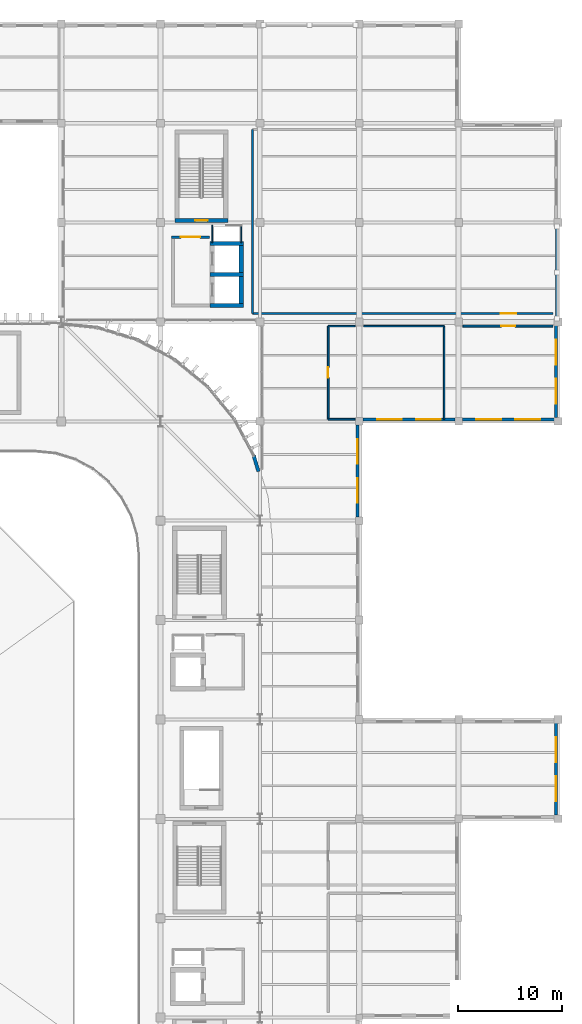
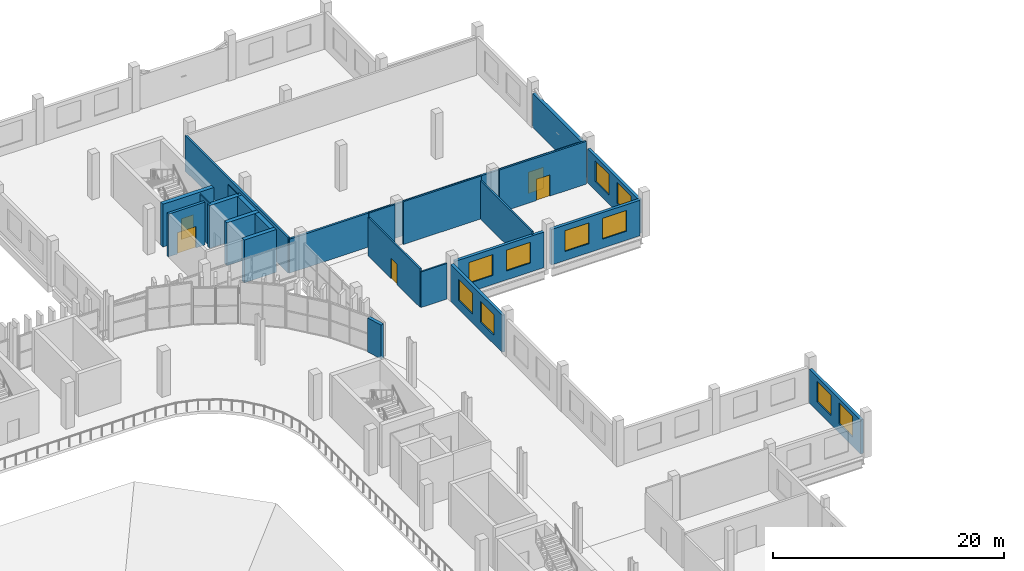
# One storey, part 66 of 99: 24 walls, 10 windows, 5 doors, 15 openings.
"""IFC4 building model written with IfcOpenShell, lengths in metres."""

from ifc_helpers import new_model, si_unit, direction, frame, frame_2d, origin, place, context, subcontext, project, spatial, rectangle, extrude, material, layer, layer_set, type_object, element, fill, save


model = new_model("IFC4")

# Units and contexts
model_context = context("Model", 3, precision=1e-05, world=origin(), true_north=direction((0.0, 1.0)))
body_context = subcontext(model_context, "Body", "Model", "MODEL_VIEW")
ifc_project = project(units=[si_unit("LENGTHUNIT", "METRE"), si_unit("AREAUNIT", "SQUARE_METRE"), si_unit("VOLUMEUNIT", "CUBIC_METRE"), si_unit("PLANEANGLEUNIT", "RADIAN"), si_unit("MASSUNIT", "GRAM", prefix="KILO")], contexts=[model_context])

# Site, building, storey
site_placement = place(None, origin())
site = spatial("IfcSite", under=ifc_project, at=site_placement, CompositionType="ELEMENT")
building_placement = place(site_placement, origin())
building = spatial("IfcBuilding", under=site, at=building_placement, Name="Caelomonte Colonnade Arena", CompositionType="ELEMENT")
storey_placement = place(building_placement, frame((0.0, 0.0, 4.800048828125)))
storey = spatial("IfcBuildingStorey", under=building, at=storey_placement, Name="L01", CompositionType="ELEMENT", Elevation=4.800048828125)

# Wall, openings, windows
ifc_material_1 = material(Name="Precast concrete C40/50", Category="concrete")
ifc_layer_1 = layer(ifc_material_1, 0.2900390625)
ifc_layer_set_1 = layer_set([ifc_layer_1], Name="Precast concrete C40/50")
wall_type_1 = type_object("IfcWallType", Name="ENV-WL-EXT29", PredefinedType="SOLIDWALL", material=ifc_layer_set_1)
wall_1_placement = place(storey_placement, frame((191.820068359375, 67.554931640625, 0.0), z_axis=(0.0, 0.0, 1.0), x_axis=(0.0, 1.0, 0.0)))
wall_1 = element("IfcWall", 1, at=wall_1_placement, inside=storey, type_object=wall_type_1, Name="L01 exterior wall EW-L01-0194", PredefinedType="SOLIDWALL", context=body_context, shape_type="SweptSolid", body=[
    extrude(rectangle(XDim=8.89013671875, YDim=0.2900390625, at=frame_2d((4.445068359375, 0.0))), origin(), (0.0, 0.0, 1.0), 3.593017578125),
])
opening_1_placement = place(wall_1_placement, frame((3.76318359375, 0.0, 0.949951171875), z_axis=(0.0, 0.0, 1.0), x_axis=(-1.0, 0.0, 0.0)))
opening_1 = element("IfcOpeningElement", 2, at=opening_1_placement, cuts=wall_1, Name="Opening WN-04", PredefinedType="OPENING", context=body_context, shape_type="SweptSolid", body=[
    extrude(rectangle(XDim=2.39990234375, YDim=2.199951171875, at=frame_2d((1.199951171875, 1.10009765625))), frame((0.0, 0.155029296875, 0.0), z_axis=(0.0, -1.0, 0.0), x_axis=(1.0, 0.0, 0.0)), (0.0, 0.0, 1.0), 0.31005859375),
])
opening_2_placement = place(wall_1_placement, frame((7.526611328125, 0.0, 0.949951171875), z_axis=(0.0, 0.0, 1.0), x_axis=(-1.0, 0.0, 0.0)))
opening_2 = element("IfcOpeningElement", 3, at=opening_2_placement, cuts=wall_1, Name="Opening WN-04", PredefinedType="OPENING", context=body_context, shape_type="SweptSolid", body=[
    extrude(rectangle(XDim=2.39990234375, YDim=2.199951171875, at=frame_2d((1.199951171875, 1.10009765625))), frame((0.0, 0.155029296875, 0.0), z_axis=(0.0, -1.0, 0.0), x_axis=(1.0, 0.0, 0.0)), (0.0, 0.0, 1.0), 0.31005859375),
])
ifc_material_2 = material(Name="Solar-control bronze low-E double glazing", Category="glass")
window_type = type_object("IfcWindowType", Name="ENV-WN-V4A", PartitioningType="DOUBLE_PANEL_VERTICAL", PredefinedType="WINDOW", material=ifc_material_2)
window_1_placement = place(opening_1_placement, origin())
window_1 = element("IfcWindow", 4, at=window_1_placement, inside=storey, type_object=window_type, Name="L01 facade window 88", OverallHeight=2.199951171875, OverallWidth=2.39990234375, PartitioningType="SINGLE_PANEL", PredefinedType="WINDOW", context=body_context, shape_type="SweptSolid", body=[
    extrude(rectangle(XDim=2.39990234375, YDim=2.199951171875, at=frame_2d((1.199951171875, 1.10009765625))), frame((0.0, 0.030029296875, 0.0), z_axis=(0.0, -1.0, 0.0), x_axis=(1.0, 0.0, 0.0)), (0.0, 0.0, 1.0), 0.06005859375),
])
fill(opening_1, window_1)
window_2_placement = place(opening_2_placement, origin())
window_2 = element("IfcWindow", 5, at=window_2_placement, inside=storey, type_object=window_type, Name="L01 facade window 89", OverallHeight=2.199951171875, OverallWidth=2.39990234375, PartitioningType="SINGLE_PANEL", PredefinedType="WINDOW", context=body_context, shape_type="SweptSolid", body=[
    extrude(rectangle(XDim=2.39990234375, YDim=2.199951171875, at=frame_2d((1.199951171875, 1.10009765625))), frame((0.0, 0.030029296875, 0.0), z_axis=(0.0, -1.0, 0.0), x_axis=(1.0, 0.0, 0.0)), (0.0, 0.0, 1.0), 0.06005859375),
])
fill(opening_2, window_2)

wall_2_placement = place(storey_placement, frame((172.6201171875, 96.35498046875, 0.0), z_axis=(0.0, 0.0, 1.0), x_axis=(0.0, 1.0, 0.0)))
wall_2 = element("IfcWall", 6, at=wall_2_placement, inside=storey, type_object=wall_type_1, Name="L01 exterior wall EW-L01-0199", PredefinedType="SOLIDWALL", context=body_context, shape_type="SweptSolid", body=[
    extrude(rectangle(XDim=8.89013671875, YDim=0.2900390625, at=frame_2d((4.445068359375, 0.0))), origin(), (0.0, 0.0, 1.0), 3.912841796875),
])
opening_3_placement = place(wall_2_placement, frame((3.76318359375, 0.0, 0.949951171875), z_axis=(0.0, 0.0, 1.0), x_axis=(-1.0, 0.0, 0.0)))
opening_3 = element("IfcOpeningElement", 7, at=opening_3_placement, cuts=wall_2, Name="Opening WN-04", PredefinedType="OPENING", context=body_context, shape_type="SweptSolid", body=[
    extrude(rectangle(XDim=2.39990234375, YDim=2.199951171875, at=frame_2d((1.199951171875, 1.10009765625))), frame((0.0, 0.155029296875, 0.0), z_axis=(0.0, -1.0, 0.0), x_axis=(1.0, 0.0, 0.0)), (0.0, 0.0, 1.0), 0.31005859375),
])
opening_4_placement = place(wall_2_placement, frame((7.526611328125, 0.0, 0.949951171875), z_axis=(0.0, 0.0, 1.0), x_axis=(-1.0, 0.0, 0.0)))
opening_4 = element("IfcOpeningElement", 8, at=opening_4_placement, cuts=wall_2, Name="Opening WN-04", PredefinedType="OPENING", context=body_context, shape_type="SweptSolid", body=[
    extrude(rectangle(XDim=2.39990234375, YDim=2.199951171875, at=frame_2d((1.199951171875, 1.10009765625))), frame((0.0, 0.155029296875, 0.0), z_axis=(0.0, -1.0, 0.0), x_axis=(1.0, 0.0, 0.0)), (0.0, 0.0, 1.0), 0.31005859375),
])
window_3_placement = place(opening_3_placement, origin())
window_3 = element("IfcWindow", 9, at=window_3_placement, inside=storey, type_object=window_type, Name="L01 facade window 98", OverallHeight=2.199951171875, OverallWidth=2.39990234375, PartitioningType="SINGLE_PANEL", PredefinedType="WINDOW", context=body_context, shape_type="SweptSolid", body=[
    extrude(rectangle(XDim=2.39990234375, YDim=2.199951171875, at=frame_2d((1.199951171875, 1.10009765625))), frame((0.0, 0.030029296875, 0.0), z_axis=(0.0, -1.0, 0.0), x_axis=(1.0, 0.0, 0.0)), (0.0, 0.0, 1.0), 0.06005859375),
])
fill(opening_3, window_3)
window_4_placement = place(opening_4_placement, origin())
window_4 = element("IfcWindow", 10, at=window_4_placement, inside=storey, type_object=window_type, Name="L01 facade window 99", OverallHeight=2.199951171875, OverallWidth=2.39990234375, PartitioningType="SINGLE_PANEL", PredefinedType="WINDOW", context=body_context, shape_type="SweptSolid", body=[
    extrude(rectangle(XDim=2.39990234375, YDim=2.199951171875, at=frame_2d((1.199951171875, 1.10009765625))), frame((0.0, 0.030029296875, 0.0), z_axis=(0.0, -1.0, 0.0), x_axis=(1.0, 0.0, 0.0)), (0.0, 0.0, 1.0), 0.06005859375),
])
fill(opening_4, window_4)

wall_3_placement = place(storey_placement, frame((173.155029296875, 105.780029296875, 0.0), z_axis=(0.0, 0.0, 1.0), x_axis=(1.0, 0.0, 0.0)))
wall_3 = element("IfcWall", 11, at=wall_3_placement, inside=storey, type_object=wall_type_1, Name="L01 exterior wall EW-L01-0200", PredefinedType="SOLIDWALL", context=body_context, shape_type="SweptSolid", body=[
    extrude(rectangle(XDim=8.889892578125, YDim=0.2900390625, at=frame_2d((4.44482421875, 0.0))), origin(), (0.0, 0.0, 1.0), 3.758056640625),
])
opening_5_placement = place(wall_3_placement, frame((3.76318359375, 0.0, 0.949951171875), z_axis=(0.0, 0.0, 1.0), x_axis=(-1.0, 0.0, 0.0)))
opening_5 = element("IfcOpeningElement", 12, at=opening_5_placement, cuts=wall_3, Name="Opening WN-04", PredefinedType="OPENING", context=body_context, shape_type="SweptSolid", body=[
    extrude(rectangle(XDim=2.39990234375, YDim=2.199951171875, at=frame_2d((1.199951171875, 1.10009765625))), frame((0.0, 0.155029296875, 0.0), z_axis=(0.0, -1.0, 0.0), x_axis=(1.0, 0.0, 0.0)), (0.0, 0.0, 1.0), 0.31005859375),
])
opening_6_placement = place(wall_3_placement, frame((7.526611328125, 0.0, 0.949951171875), z_axis=(0.0, 0.0, 1.0), x_axis=(-1.0, 0.0, 0.0)))
opening_6 = element("IfcOpeningElement", 13, at=opening_6_placement, cuts=wall_3, Name="Opening WN-04", PredefinedType="OPENING", context=body_context, shape_type="SweptSolid", body=[
    extrude(rectangle(XDim=2.39990234375, YDim=2.199951171875, at=frame_2d((1.199951171875, 1.10009765625))), frame((0.0, 0.155029296875, 0.0), z_axis=(0.0, -1.0, 0.0), x_axis=(1.0, 0.0, 0.0)), (0.0, 0.0, 1.0), 0.31005859375),
])
window_5_placement = place(opening_5_placement, origin())
window_5 = element("IfcWindow", 14, at=window_5_placement, inside=storey, type_object=window_type, Name="L01 facade window 100", OverallHeight=2.199951171875, OverallWidth=2.39990234375, PartitioningType="SINGLE_PANEL", PredefinedType="WINDOW", context=body_context, shape_type="SweptSolid", body=[
    extrude(rectangle(XDim=2.39990234375, YDim=2.199951171875, at=frame_2d((1.199951171875, 1.10009765625))), frame((0.0, 0.030029296875, 0.0), z_axis=(0.0, -1.0, 0.0), x_axis=(1.0, 0.0, 0.0)), (0.0, 0.0, 1.0), 0.06005859375),
])
fill(opening_5, window_5)
window_6_placement = place(opening_6_placement, origin())
window_6 = element("IfcWindow", 15, at=window_6_placement, inside=storey, type_object=window_type, Name="L01 facade window 101", OverallHeight=2.199951171875, OverallWidth=2.39990234375, PartitioningType="SINGLE_PANEL", PredefinedType="WINDOW", context=body_context, shape_type="SweptSolid", body=[
    extrude(rectangle(XDim=2.39990234375, YDim=2.199951171875, at=frame_2d((1.199951171875, 1.10009765625))), frame((0.0, 0.030029296875, 0.0), z_axis=(0.0, -1.0, 0.0), x_axis=(1.0, 0.0, 0.0)), (0.0, 0.0, 1.0), 0.06005859375),
])
fill(opening_6, window_6)

wall_4_placement = place(storey_placement, frame((182.7548828125, 105.780029296875, 0.0), z_axis=(0.0, 0.0, 1.0), x_axis=(1.0, 0.0, 0.0)))
wall_4 = element("IfcWall", 16, at=wall_4_placement, inside=storey, type_object=wall_type_1, Name="L01 exterior wall EW-L01-0201", PredefinedType="SOLIDWALL", context=body_context, shape_type="SweptSolid", body=[
    extrude(rectangle(XDim=8.89013671875, YDim=0.2900390625, at=frame_2d((4.445068359375, 0.0))), origin(), (0.0, 0.0, 1.0), 3.758056640625),
])
opening_7_placement = place(wall_4_placement, frame((3.76318359375, 0.0, 0.949951171875), z_axis=(0.0, 0.0, 1.0), x_axis=(-1.0, 0.0, 0.0)))
opening_7 = element("IfcOpeningElement", 17, at=opening_7_placement, cuts=wall_4, Name="Opening WN-04", PredefinedType="OPENING", context=body_context, shape_type="SweptSolid", body=[
    extrude(rectangle(XDim=2.39990234375, YDim=2.199951171875, at=frame_2d((1.199951171875, 1.10009765625))), frame((0.0, 0.155029296875, 0.0), z_axis=(0.0, -1.0, 0.0), x_axis=(1.0, 0.0, 0.0)), (0.0, 0.0, 1.0), 0.31005859375),
])
opening_8_placement = place(wall_4_placement, frame((7.526611328125, 0.0, 0.949951171875), z_axis=(0.0, 0.0, 1.0), x_axis=(-1.0, 0.0, 0.0)))
opening_8 = element("IfcOpeningElement", 18, at=opening_8_placement, cuts=wall_4, Name="Opening WN-04", PredefinedType="OPENING", context=body_context, shape_type="SweptSolid", body=[
    extrude(rectangle(XDim=2.39990234375, YDim=2.199951171875, at=frame_2d((1.199951171875, 1.10009765625))), frame((0.0, 0.155029296875, 0.0), z_axis=(0.0, -1.0, 0.0), x_axis=(1.0, 0.0, 0.0)), (0.0, 0.0, 1.0), 0.31005859375),
])
window_7_placement = place(opening_7_placement, origin())
window_7 = element("IfcWindow", 19, at=window_7_placement, inside=storey, type_object=window_type, Name="L01 facade window 102", OverallHeight=2.199951171875, OverallWidth=2.39990234375, PartitioningType="SINGLE_PANEL", PredefinedType="WINDOW", context=body_context, shape_type="SweptSolid", body=[
    extrude(rectangle(XDim=2.39990234375, YDim=2.199951171875, at=frame_2d((1.199951171875, 1.10009765625))), frame((0.0, 0.030029296875, 0.0), z_axis=(0.0, -1.0, 0.0), x_axis=(1.0, 0.0, 0.0)), (0.0, 0.0, 1.0), 0.06005859375),
])
fill(opening_7, window_7)
window_8_placement = place(opening_8_placement, origin())
window_8 = element("IfcWindow", 20, at=window_8_placement, inside=storey, type_object=window_type, Name="L01 facade window 103", OverallHeight=2.199951171875, OverallWidth=2.39990234375, PartitioningType="SINGLE_PANEL", PredefinedType="WINDOW", context=body_context, shape_type="SweptSolid", body=[
    extrude(rectangle(XDim=2.39990234375, YDim=2.199951171875, at=frame_2d((1.199951171875, 1.10009765625))), frame((0.0, 0.030029296875, 0.0), z_axis=(0.0, -1.0, 0.0), x_axis=(1.0, 0.0, 0.0)), (0.0, 0.0, 1.0), 0.06005859375),
])
fill(opening_8, window_8)

wall_5_placement = place(storey_placement, frame((191.820068359375, 105.955078125, 0.0), z_axis=(0.0, 0.0, 1.0), x_axis=(0.0, 1.0, 0.0)))
wall_5 = element("IfcWall", 21, at=wall_5_placement, inside=storey, type_object=wall_type_1, Name="L01 exterior wall EW-L01-0202", PredefinedType="SOLIDWALL", context=body_context, shape_type="SweptSolid", body=[
    extrude(rectangle(XDim=8.889892578125, YDim=0.2900390625, at=frame_2d((4.44482421875, 0.0))), origin(), (0.0, 0.0, 1.0), 3.593017578125),
])
opening_9_placement = place(wall_5_placement, frame((3.76318359375, 0.0, 0.949951171875), z_axis=(0.0, 0.0, 1.0), x_axis=(-1.0, 0.0, 0.0)))
opening_9 = element("IfcOpeningElement", 22, at=opening_9_placement, cuts=wall_5, Name="Opening WN-04", PredefinedType="OPENING", context=body_context, shape_type="SweptSolid", body=[
    extrude(rectangle(XDim=2.39990234375, YDim=2.199951171875, at=frame_2d((1.199951171875, 1.10009765625))), frame((0.0, 0.155029296875, 0.0), z_axis=(0.0, -1.0, 0.0), x_axis=(1.0, 0.0, 0.0)), (0.0, 0.0, 1.0), 0.31005859375),
])
opening_10_placement = place(wall_5_placement, frame((7.526611328125, 0.0, 0.949951171875), z_axis=(0.0, 0.0, 1.0), x_axis=(-1.0, 0.0, 0.0)))
opening_10 = element("IfcOpeningElement", 23, at=opening_10_placement, cuts=wall_5, Name="Opening WN-04", PredefinedType="OPENING", context=body_context, shape_type="SweptSolid", body=[
    extrude(rectangle(XDim=2.39990234375, YDim=2.199951171875, at=frame_2d((1.199951171875, 1.10009765625))), frame((0.0, 0.155029296875, 0.0), z_axis=(0.0, -1.0, 0.0), x_axis=(1.0, 0.0, 0.0)), (0.0, 0.0, 1.0), 0.31005859375),
])
window_9_placement = place(opening_9_placement, origin())
window_9 = element("IfcWindow", 24, at=window_9_placement, inside=storey, type_object=window_type, Name="L01 facade window 104", OverallHeight=2.199951171875, OverallWidth=2.39990234375, PartitioningType="SINGLE_PANEL", PredefinedType="WINDOW", context=body_context, shape_type="SweptSolid", body=[
    extrude(rectangle(XDim=2.39990234375, YDim=2.199951171875, at=frame_2d((1.199951171875, 1.10009765625))), frame((0.0, 0.030029296875, 0.0), z_axis=(0.0, -1.0, 0.0), x_axis=(1.0, 0.0, 0.0)), (0.0, 0.0, 1.0), 0.06005859375),
])
fill(opening_9, window_9)
window_10_placement = place(opening_10_placement, origin())
window_10 = element("IfcWindow", 25, at=window_10_placement, inside=storey, type_object=window_type, Name="L01 facade window 105", OverallHeight=2.199951171875, OverallWidth=2.39990234375, PartitioningType="SINGLE_PANEL", PredefinedType="WINDOW", context=body_context, shape_type="SweptSolid", body=[
    extrude(rectangle(XDim=2.39990234375, YDim=2.199951171875, at=frame_2d((1.199951171875, 1.10009765625))), frame((0.0, 0.030029296875, 0.0), z_axis=(0.0, -1.0, 0.0), x_axis=(1.0, 0.0, 0.0)), (0.0, 0.0, 1.0), 0.06005859375),
])
fill(opening_10, window_10)

# Walls
ifc_layer_2 = layer(ifc_material_1, 0.330078125)
ifc_layer_set_2 = layer_set([ifc_layer_2], Name="Precast concrete C40/50")
wall_type_2 = type_object("IfcWallType", Name="ENV-WL-EXT33", PredefinedType="SOLIDWALL", material=ifc_layer_set_2)
wall_6_placement = place(storey_placement, frame((191.89990234375, 115.554931640625, 0.0), z_axis=(0.0, 0.0, 1.0), x_axis=(0.0, 1.0, 0.0)))
element("IfcWall", 26, at=wall_6_placement, inside=storey, type_object=wall_type_2, Name="L01 exterior wall EW-L01-0203", PredefinedType="SOLIDWALL", context=body_context, shape_type="SweptSolid", body=[
    extrude(rectangle(XDim=8.89013671875, YDim=0.330078125, at=frame_2d((4.445068359375, 0.0))), origin(), (0.0, 0.0, 1.0), 3.593017578125),
])
wall_7_placement = place(storey_placement, frame((163.06201171875, 100.75732421875, 0.0), z_axis=(0.0, 0.0, 1.0), x_axis=(-0.290196653702, 0.956967032964, 0.0)))
element("IfcWall", 27, at=wall_7_placement, inside=storey, type_object=wall_type_2, Name="L01 exterior wall EW-L01-0235", PredefinedType="SOLIDWALL", context=body_context, shape_type="SweptSolid", body=[
    extrude(rectangle(XDim=1.611083984375, YDim=0.330078125, at=frame_2d((0.8056640625, 0.0))), origin(), (0.0, 0.0, 1.0), 3.593017578125),
])

# Wall, opening, door
ifc_material_3 = material(Name="Concrete C40/50", Category="concrete")
ifc_layer_3 = layer(ifc_material_3, 0.260009765625)
ifc_layer_set_3 = layer_set([ifc_layer_3], Name="Concrete C40/50")
wall_type_3 = type_object("IfcWallType", Name="INT-WL-FW26", PredefinedType="SOLIDWALL", material=ifc_layer_set_3)
wall_8_placement = place(storey_placement, frame((158.330078125, 123.39990234375, 0.0), z_axis=(0.0, 0.0, 1.0), x_axis=(-1.0, 0.0, 0.0)))
wall_8 = element("IfcWall", 28, at=wall_8_placement, inside=storey, type_object=wall_type_3, Name="FW-C6-LB L01 north enclosure wall", PredefinedType="SOLIDWALL", context=body_context, shape_type="SweptSolid", body=[
    extrude(rectangle(XDim=3.66015625, YDim=0.260009765625, at=frame_2d((1.830078125, 0.0))), origin(), (0.0, 0.0, 1.0), 4.52001953125),
])
opening_11_placement = place(wall_8_placement, frame((2.755126953125, 0.0, 0.0), z_axis=(0.0, 0.0, 1.0), x_axis=(-1.0, 0.0, 0.0)))
opening_11 = element("IfcOpeningElement", 29, at=opening_11_placement, cuts=wall_8, Name="Opening FD-2", PredefinedType="OPENING", context=body_context, shape_type="SweptSolid", body=[
    extrude(rectangle(XDim=1.85009765625, YDim=2.25, at=frame_2d((0.925048828125, 1.125))), frame((0.0, 0.139892578125, 0.0), z_axis=(0.0, -1.0, 0.0), x_axis=(1.0, 0.0, 0.0)), (0.0, 0.0, 1.0), 0.280029296875),
])
ifc_material_4 = material(Name="Fire-rated double steel door", Category="steel")
door_type_1 = type_object("IfcDoorType", Name="INT-DR-FD90B", OperationType="DOUBLE_DOOR_SINGLE_SWING", PredefinedType="DOOR", material=ifc_material_4)
door_1_placement = place(opening_11_placement, origin())
door_1 = element("IfcDoor", 30, at=door_1_placement, inside=storey, type_object=door_type_1, Name="Core C6 L01 lobby fire door", OperationType="DOUBLE_DOOR_SINGLE_SWING", OverallHeight=2.25, OverallWidth=1.85009765625, PredefinedType="DOOR", context=body_context, shape_type="SweptSolid", body=[
    extrude(rectangle(XDim=1.85009765625, YDim=2.25, at=frame_2d((0.925048828125, 1.125))), frame((0.0, 0.02490234375, 0.0), z_axis=(0.0, -1.0, 0.0), x_axis=(1.0, 0.0, 0.0)), (0.0, 0.0, 1.0), 0.050048828125),
])
fill(opening_11, door_1)

# Walls
ifc_material_5 = material(Name="Service shaft lining partition")
ifc_layer_4 = layer(ifc_material_5, 0.10009765625)
ifc_layer_set_4 = layer_set([ifc_layer_4], Name="Service shaft lining partition")
wall_type_4 = type_object("IfcWallType", Name="INT-WL-PT10", PredefinedType="PARTITIONING", material=ifc_layer_set_4)
for number, where, z_axis, x_axis, name in (
    (31, (158.60009765625, 124.550048828125, 0.0), (0.0, 0.0, 1.0), (0.0, -1.0, 0.0), "FW-C6-RS L01 west enclosure wall"),
    (32, (161.39990234375, 122.85009765625, 0.0), (0.0, 0.0, 1.0), (0.0, 1.0, 0.0), "FW-C6-RS L01 east enclosure wall"),
):
    element("IfcWall", number, at=place(storey_placement, frame(where, z_axis=z_axis, x_axis=x_axis)), inside=storey, type_object=wall_type_4, Name=name, PredefinedType="PARTITIONING", context=body_context, shape_type="SweptSolid", body=[
        extrude(rectangle(XDim=1.699951171875, YDim=0.10009765625, at=frame_2d((0.85009765625, 0.0))), origin(), (0.0, 0.0, 1.0), 4.52001953125),
    ])
ifc_material_6 = material(Name="Moisture-resistant WC partition")
ifc_layer_5 = layer(ifc_material_6, 0.159912109375)
ifc_layer_set_5 = layer_set([ifc_layer_5], Name="Moisture-resistant WC partition")
wall_type_5 = type_object("IfcWallType", Name="INT-WL-PT16", PredefinedType="PARTITIONING", material=ifc_layer_set_5)
wall_9_placement = place(storey_placement, frame((172.389892578125, 105.800048828125, 0.0), z_axis=(0.0, 0.0, 1.0), x_axis=(-1.0, 0.0, 0.0)))
element("IfcWall", 33, at=wall_9_placement, inside=storey, type_object=wall_type_5, Name="L01 Main Concourse Accessible WC partition 129", PredefinedType="PARTITIONING", context=body_context, shape_type="SweptSolid", body=[
    extrude(rectangle(XDim=2.58984375, YDim=0.159912109375, at=frame_2d((1.294921875, 0.0))), origin(), (0.0, 0.0, 1.0), 3.758056640625),
])

# Wall, opening, door
wall_10_placement = place(storey_placement, frame((169.800048828125, 105.800048828125, 0.0), z_axis=(0.0, 0.0, 1.0), x_axis=(0.0, 1.0, 0.0)))
wall_10 = element("IfcWall", 34, at=wall_10_placement, inside=storey, type_object=wall_type_5, Name="L01 Main Concourse Accessible WC partition 130", PredefinedType="PARTITIONING", context=body_context, shape_type="SweptSolid", body=[
    extrude(rectangle(XDim=9.0, YDim=0.159912109375, at=frame_2d((4.5, 0.0))), origin(), (0.0, 0.0, 1.0), 4.062744140625),
])
opening_12_placement = place(wall_10_placement, frame((3.989990234375, 0.0, 0.0), z_axis=(0.0, 0.0, 1.0), x_axis=(1.0, 0.0, 0.0)))
opening_12 = element("IfcOpeningElement", 35, at=opening_12_placement, cuts=wall_10, Name="Opening D-L01-043", PredefinedType="OPENING", context=body_context, shape_type="SweptSolid", body=[
    extrude(rectangle(XDim=1.02001953125, YDim=2.14990234375, at=frame_2d((0.510009765625, 1.074951171875))), frame((0.0, 0.08984375, 0.0), z_axis=(0.0, -1.0, 0.0), x_axis=(1.0, 0.0, 0.0)), (0.0, 0.0, 1.0), 0.179931640625),
])
ifc_material_7 = material(Name="Accessible WC outward-swing door")
door_type_2 = type_object("IfcDoorType", Name="INT-DR-AWC", OperationType="NOTDEFINED", PredefinedType="DOOR", material=ifc_material_7)
door_2_placement = place(opening_12_placement, origin())
door_2 = element("IfcDoor", 36, at=door_2_placement, inside=storey, type_object=door_type_2, Name="L01 Main Concourse Accessible WC door D-L01-043", OperationType="SINGLE_SWING_RIGHT", OverallHeight=2.14990234375, OverallWidth=1.02001953125, PredefinedType="DOOR", context=body_context, shape_type="SweptSolid", body=[
    extrude(rectangle(XDim=1.02001953125, YDim=2.14990234375, at=frame_2d((0.510009765625, 1.074951171875))), frame((0.0, 0.02490234375, 0.0), z_axis=(0.0, -1.0, 0.0), x_axis=(1.0, 0.0, 0.0)), (0.0, 0.0, 1.0), 0.050048828125),
])
fill(opening_12, door_2)

# Walls
wall_11_placement = place(storey_placement, frame((169.800048828125, 114.800048828125, 0.0), z_axis=(0.0, 0.0, 1.0), x_axis=(1.0, 0.0, 0.0)))
element("IfcWall", 37, at=wall_11_placement, inside=storey, type_object=wall_type_5, Name="L01 Main Concourse Accessible WC partition 131", PredefinedType="PARTITIONING", context=body_context, shape_type="SweptSolid", body=[
    extrude(rectangle(XDim=2.592529296875, YDim=0.159912109375, at=frame_2d((1.29638671875, 0.0))), origin(), (0.0, 0.0, 1.0), 4.52001953125),
])
wall_12_placement = place(storey_placement, frame((173.207275390625, 114.800048828125, 0.0), z_axis=(0.0, 0.0, 1.0), x_axis=(1.0, 0.0, 0.0)))
element("IfcWall", 38, at=wall_12_placement, inside=storey, type_object=wall_type_5, Name="L01 Main Concourse Accessible WC partition 132", PredefinedType="PARTITIONING", context=body_context, shape_type="SweptSolid", body=[
    extrude(rectangle(XDim=7.792724609375, YDim=0.159912109375, at=frame_2d((3.896484375, 0.0))), origin(), (0.0, 0.0, 1.0), 4.52001953125),
])
wall_13_placement = place(storey_placement, frame((181.0, 114.800048828125, 0.0), z_axis=(0.0, 0.0, 1.0), x_axis=(0.0, -1.0, 0.0)))
element("IfcWall", 39, at=wall_13_placement, inside=storey, type_object=wall_type_5, Name="L01 Main Concourse Accessible WC partition 133", PredefinedType="PARTITIONING", context=body_context, shape_type="SweptSolid", body=[
    extrude(rectangle(XDim=8.97998046875, YDim=0.159912109375, at=frame_2d((4.489990234375, 0.0))), origin(), (0.0, 0.0, 1.0), 4.062744140625),
])

# Wall, opening, door
ifc_material_8 = material(Name="Acoustic gypsum stud partition")
ifc_layer_6 = layer(ifc_material_8, 0.179931640625)
ifc_layer_set_6 = layer_set([ifc_layer_6], Name="Acoustic gypsum stud partition")
wall_type_6 = type_object("IfcWallType", Name="INT-WL-PT18", PredefinedType="PARTITIONING", material=ifc_layer_set_6)
wall_14_placement = place(storey_placement, frame((182.807373046875, 114.800048828125, 0.0), z_axis=(0.0, 0.0, 1.0), x_axis=(1.0, 0.0, 0.0)))
wall_14 = element("IfcWall", 40, at=wall_14_placement, inside=storey, type_object=wall_type_6, Name="L01 Concourse First Aid Room partition 134", PredefinedType="PARTITIONING", context=body_context, shape_type="SweptSolid", body=[
    extrude(rectangle(XDim=8.692626953125, YDim=0.179931640625, at=frame_2d((4.34619140625, 0.0))), origin(), (0.0, 0.0, 1.0), 4.52001953125),
])
opening_13_placement = place(wall_14_placement, frame((3.7177734375, 0.0, 0.0), z_axis=(0.0, 0.0, 1.0), x_axis=(1.0, 0.0, 0.0)))
opening_13 = element("IfcOpeningElement", 41, at=opening_13_placement, cuts=wall_14, Name="Opening D-L01-044", PredefinedType="OPENING", context=body_context, shape_type="SweptSolid", body=[
    extrude(rectangle(XDim=1.35009765625, YDim=2.25, at=frame_2d((0.675048828125, 1.125))), frame((0.0, 0.099853515625, 0.0), z_axis=(0.0, -1.0, 0.0), x_axis=(1.0, 0.0, 0.0)), (0.0, 0.0, 1.0), 0.199951171875),
])
ifc_material_9 = material(Name="Wide athlete locker suite door")
door_type_3 = type_object("IfcDoorType", Name="INT-DR-ATH", OperationType="NOTDEFINED", PredefinedType="DOOR", material=ifc_material_9)
door_3_placement = place(opening_13_placement, origin())
door_3 = element("IfcDoor", 42, at=door_3_placement, inside=storey, type_object=door_type_3, Name="L01 Concourse First Aid Room door D-L01-044", OperationType="SINGLE_SWING_LEFT", OverallHeight=2.25, OverallWidth=1.35009765625, PredefinedType="DOOR", context=body_context, shape_type="SweptSolid", body=[
    extrude(rectangle(XDim=1.35009765625, YDim=2.25, at=frame_2d((0.675048828125, 1.125))), frame((0.0, 0.02490234375, 0.0), z_axis=(0.0, -1.0, 0.0), x_axis=(1.0, 0.0, 0.0)), (0.0, 0.0, 1.0), 0.050048828125),
])
fill(opening_13, door_3)

ifc_material_10 = material(Name="Fire-rated gypsum stud partition")
ifc_layer_7 = layer(ifc_material_10, 0.199951171875)
ifc_layer_set_7 = layer_set([ifc_layer_7], Name="Fire-rated gypsum stud partition")
wall_type_7 = type_object("IfcWallType", Name="INT-WL-PT20", PredefinedType="PARTITIONING", material=ifc_layer_set_7)
wall_15_placement = place(storey_placement, frame((191.5, 116.0, 0.0), z_axis=(0.0, 0.0, 1.0), x_axis=(-1.0, 0.0, 0.0)))
wall_15 = element("IfcWall", 43, at=wall_15_placement, inside=storey, type_object=wall_type_7, Name="L01 North-East Concession Hall partition 122", PredefinedType="PARTITIONING", context=body_context, shape_type="SweptSolid", body=[
    extrude(rectangle(XDim=29.0, YDim=0.199951171875, at=frame_2d((14.5, 0.0))), origin(), (0.0, 0.0, 1.0), 3.593017578125),
])
opening_14_placement = place(wall_15_placement, frame((3.550048828125, 0.0, 0.0), z_axis=(0.0, 0.0, 1.0), x_axis=(1.0, 0.0, 0.0)))
opening_14 = element("IfcOpeningElement", 44, at=opening_14_placement, cuts=wall_15, Name="Opening D-L01-040", PredefinedType="OPENING", context=body_context, shape_type="SweptSolid", body=[
    extrude(rectangle(XDim=1.5, YDim=2.25, at=frame_2d((0.75, 1.125))), frame((0.0, 0.10986328125, 0.0), z_axis=(0.0, -1.0, 0.0), x_axis=(1.0, 0.0, 0.0)), (0.0, 0.0, 1.0), 0.219970703125),
])
ifc_material_11 = material(Name="Hardwood double club lounge door", Category="wood")
door_type_4 = type_object("IfcDoorType", Name="INT-DR-SU2", OperationType="DOUBLE_DOOR_SINGLE_SWING", PredefinedType="DOOR", material=ifc_material_11)
door_4_placement = place(opening_14_placement, origin())
door_4 = element("IfcDoor", 45, at=door_4_placement, inside=storey, type_object=door_type_4, Name="L01 North-East Concession Hall door D-L01-040", OperationType="DOUBLE_DOOR_SINGLE_SWING", OverallHeight=2.25, OverallWidth=1.5, PredefinedType="DOOR", context=body_context, shape_type="SweptSolid", body=[
    extrude(rectangle(XDim=1.5, YDim=2.25, at=frame_2d((0.75, 1.125))), frame((0.0, 0.02490234375, 0.0), z_axis=(0.0, -1.0, 0.0), x_axis=(1.0, 0.0, 0.0)), (0.0, 0.0, 1.0), 0.050048828125),
])
fill(opening_14, door_4)

# Wall
wall_16_placement = place(storey_placement, frame((162.5, 116.0, 0.0), z_axis=(0.0, 0.0, 1.0), x_axis=(0.0, 1.0, 0.0)))
element("IfcWall", 46, at=wall_16_placement, inside=storey, type_object=wall_type_7, Name="L01 North-East Concession Hall partition 123", PredefinedType="PARTITIONING", context=body_context, shape_type="SweptSolid", body=[
    extrude(rectangle(XDim=17.800048828125, YDim=0.199951171875, at=frame_2d((8.89990234375, 0.0))), origin(), (0.0, 0.0, 1.0), 3.758056640625),
])

# Wall, opening, door
ifc_material_12 = material(Name="Concrete C50/60", Category="concrete")
ifc_layer_8 = layer(ifc_material_12, 0.39990234375)
ifc_layer_set_8 = layer_set([ifc_layer_8], Name="Concrete C50/60")
wall_type_8 = type_object("IfcWallType", Name="INT-WL-SH40", PredefinedType="SHEAR", material=ifc_layer_set_8)
wall_17_placement = place(storey_placement, frame((155.0, 125.0, 0.0), z_axis=(0.0, 0.0, 1.0), x_axis=(1.0, 0.0, 0.0)))
wall_17 = element("IfcWall", 47, at=wall_17_placement, inside=storey, type_object=wall_type_8, Name="CW-C6-ST L01 south enclosure wall", PredefinedType="SHEAR", context=body_context, shape_type="SweptSolid", body=[
    extrude(rectangle(XDim=5.10009765625, YDim=0.39990234375, at=frame_2d((2.550048828125, 0.0))), origin(), (0.0, 0.0, 1.0), 4.52001953125),
])
opening_15_placement = place(wall_17_placement, frame((3.14990234375, 0.0, 0.0), z_axis=(0.0, 0.0, 1.0), x_axis=(-1.0, 0.0, 0.0)))
opening_15 = element("IfcOpeningElement", 48, at=opening_15_placement, cuts=wall_17, Name="Opening FD-1", PredefinedType="OPENING", context=body_context, shape_type="SweptSolid", body=[
    extrude(rectangle(XDim=1.199951171875, YDim=2.199951171875, at=frame_2d((0.60009765625, 1.10009765625))), frame((0.0, 0.2099609375, 0.0), z_axis=(0.0, -1.0, 0.0), x_axis=(1.0, 0.0, 0.0)), (0.0, 0.0, 1.0), 0.419921875),
])
ifc_material_13 = material(Name="Fire-rated steel door", Category="steel")
door_type_5 = type_object("IfcDoorType", Name="INT-DR-FD90A", OperationType="NOTDEFINED", PredefinedType="DOOR", material=ifc_material_13)
door_5_placement = place(opening_15_placement, origin())
door_5 = element("IfcDoor", 49, at=door_5_placement, inside=storey, type_object=door_type_5, Name="Core C6 L01 exit stair fire door", OperationType="SINGLE_SWING_RIGHT", OverallHeight=2.199951171875, OverallWidth=1.199951171875, PredefinedType="DOOR", context=body_context, shape_type="SweptSolid", body=[
    extrude(rectangle(XDim=1.199951171875, YDim=2.199951171875, at=frame_2d((0.60009765625, 1.10009765625))), frame((0.0, 0.02490234375, 0.0), z_axis=(0.0, -1.0, 0.0), x_axis=(1.0, 0.0, 0.0)), (0.0, 0.0, 1.0), 0.050048828125),
])
fill(opening_15, door_5)

# Walls
for number, where, z_axis, x_axis, name in (
    (50, (158.39990234375, 116.800048828125, 0.0), (0.0, 0.0, 1.0), (1.0, 0.0, 0.0), "CW-C6-LF L01 south enclosure wall"),
    (51, (161.60009765625, 119.800048828125, 0.0), (0.0, 0.0, 1.0), (-1.0, 0.0, 0.0), "CW-C6-LF L01 north enclosure wall"),
):
    element("IfcWall", number, at=place(storey_placement, frame(where, z_axis=z_axis, x_axis=x_axis)), inside=storey, type_object=wall_type_8, Name=name, PredefinedType="SHEAR", context=body_context, shape_type="SweptSolid", body=[
        extrude(rectangle(XDim=3.2001953125, YDim=0.39990234375, at=frame_2d((1.60009765625, 0.0))), origin(), (0.0, 0.0, 1.0), 4.52001953125),
    ])
wall_18_placement = place(storey_placement, frame((161.39990234375, 117.0, 0.0), z_axis=(0.0, 0.0, 1.0), x_axis=(0.0, 1.0, 0.0)))
element("IfcWall", 52, at=wall_18_placement, inside=storey, type_object=wall_type_8, Name="CW-C6-LF L01 east enclosure wall", PredefinedType="SHEAR", context=body_context, shape_type="SweptSolid", body=[
    extrude(rectangle(XDim=2.60009765625, YDim=0.39990234375, at=frame_2d((1.300048828125, 0.0))), origin(), (0.0, 0.0, 1.0), 4.52001953125),
])
wall_19_placement = place(storey_placement, frame((161.60009765625, 122.800048828125, 0.0), z_axis=(0.0, 0.0, 1.0), x_axis=(-1.0, 0.0, 0.0)))
element("IfcWall", 53, at=wall_19_placement, inside=storey, type_object=wall_type_8, Name="CW-C6-LF2 L01 north enclosure wall", PredefinedType="SHEAR", context=body_context, shape_type="SweptSolid", body=[
    extrude(rectangle(XDim=3.2001953125, YDim=0.39990234375, at=frame_2d((1.60009765625, 0.0))), origin(), (0.0, 0.0, 1.0), 4.52001953125),
])
wall_20_placement = place(storey_placement, frame((161.39990234375, 120.0, 0.0), z_axis=(0.0, 0.0, 1.0), x_axis=(0.0, 1.0, 0.0)))
element("IfcWall", 54, at=wall_20_placement, inside=storey, type_object=wall_type_8, Name="CW-C6-LF2 L01 east enclosure wall", PredefinedType="SHEAR", context=body_context, shape_type="SweptSolid", body=[
    extrude(rectangle(XDim=2.60009765625, YDim=0.39990234375, at=frame_2d((1.300048828125, 0.0))), origin(), (0.0, 0.0, 1.0), 4.52001953125),
])

save(model, "model.ifc")
